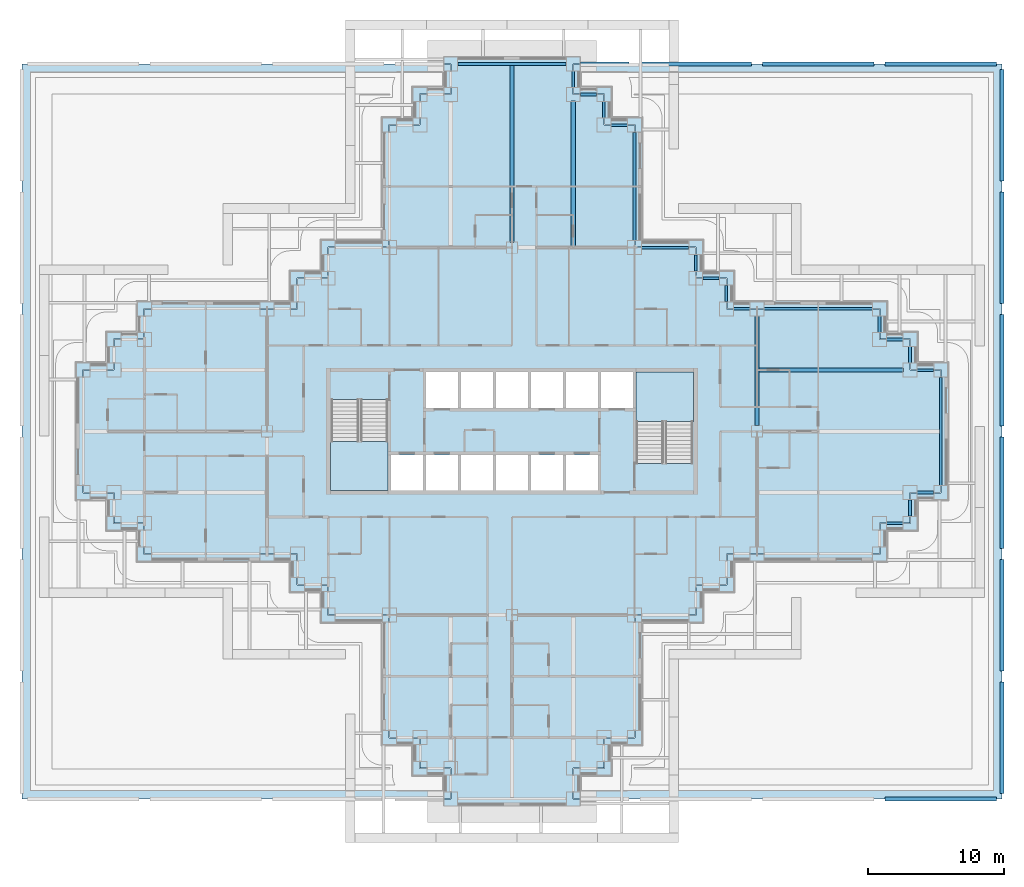
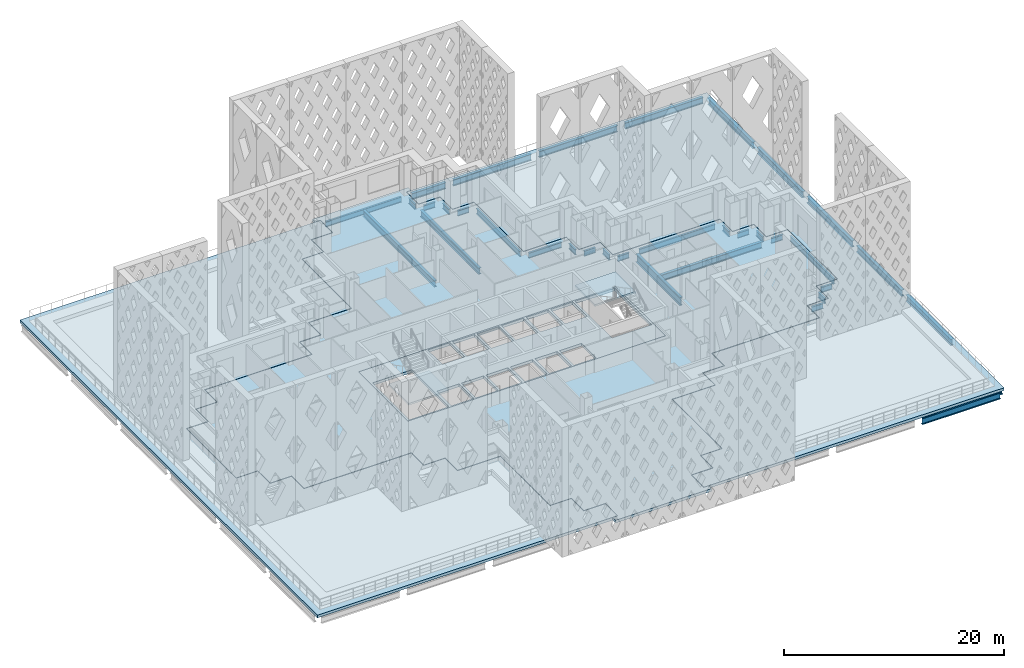
# One storey, part 2 of 26: 35 beams, 6 slabs, 2 elements without a shape of their own.
"""IFC4 building model written with IfcOpenShell, lengths in metres."""

from ifc_helpers import new_model, si_unit, direction, frame, origin, origin_2d, place, context, subcontext, project, spatial, polyline, i_section, outline, extrude, material, layer, layer_set, material_profile, profile_set, type_object, element, aggregate, save


model = new_model("IFC4")

# Units and contexts
model_context = context("Model", 3, precision=1e-05, world=origin(), true_north=direction((0.0, 1.0)))
body_context = subcontext(model_context, "Body", "Model", "MODEL_VIEW")
ifc_project = project(units=[si_unit("LENGTHUNIT", "METRE"), si_unit("AREAUNIT", "SQUARE_METRE"), si_unit("VOLUMEUNIT", "CUBIC_METRE"), si_unit("PLANEANGLEUNIT", "RADIAN"), si_unit("MASSUNIT", "GRAM", prefix="KILO")], contexts=[model_context])

# Site, building, storey
site_placement = place(None, origin())
site = spatial("IfcSite", under=ifc_project, at=site_placement, CompositionType="ELEMENT")
building_placement = place(site_placement, origin())
building = spatial("IfcBuilding", under=site, at=building_placement, Name="Caravel Reach Hotel and Residences", CompositionType="ELEMENT")
storey_placement = place(building_placement, frame((0.0, 0.0, 33.60009765625)))
storey = spatial("IfcBuildingStorey", under=building, at=storey_placement, Name="L06", CompositionType="ELEMENT", Elevation=33.60009765625)

# Beams
ifc_material_1 = material(Name="Structural steel Q355B", Category="steel")
ifc_material_profile_1 = material_profile(ifc_material_1, i_section(OverallWidth=0.300048828125, OverallDepth=0.699951171875, WebThickness=0.012939453125, FlangeThickness=0.02392578125, FilletRadius=0.01806640625, at=origin_2d()), Name="HN 700x300x13x24")
ifc_profile_set_1 = profile_set([ifc_material_profile_1], Name="Structural steel Q355B")
beam_type_1 = type_object("IfcBeamType", Name="Beam HN 700x300x13x24", PredefinedType="BEAM", material=ifc_profile_set_1)
beam_1_placement = place(storey_placement, frame((31.5, 40.875, -0.650146484375), z_axis=(0.0, 1.0, 0.0), x_axis=(-1.0, 0.0, 0.0)))
element("IfcBeam", 1, at=beam_1_placement, inside=storey, type_object=beam_type_1, Name="B2 HN 700x300x13x24", PredefinedType="BEAM", context=body_context, shape_type="SweptSolid", body=[
    extrude(i_section(OverallWidth=0.300048828125, OverallDepth=0.699951171875, WebThickness=0.012939453125, FlangeThickness=0.02392578125, FilletRadius=0.01806640625, at=origin_2d()), origin(), (0.0, 0.0, 1.0), 13.02490234375),
])
for number, where, z_axis, x_axis, name in (
    (2, (36.0, 40.60009765625, -0.650146484375), (0.0, 1.0, 0.0), (-1.0, 0.0, 0.0), "B2 HN 700x300x13x24"),
    (3, (49.60009765625, 31.5, -0.650146484375), (1.0, 0.0, 0.0), (0.0, 1.0, 0.0), "B2 HN 700x300x13x24"),
):
    element("IfcBeam", number, at=place(storey_placement, frame(where, z_axis=z_axis, x_axis=x_axis)), inside=storey, type_object=beam_type_1, Name=name, PredefinedType="BEAM", context=body_context, shape_type="SweptSolid", body=[
        extrude(i_section(OverallWidth=0.300048828125, OverallDepth=0.699951171875, WebThickness=0.012939453125, FlangeThickness=0.02392578125, FilletRadius=0.01806640625, at=origin_2d()), origin(), (0.0, 0.0, 1.0), 10.6748046875),
    ])
ifc_material_2 = material(Name="Structural steel Q355B", Category="steel")
ifc_material_profile_2 = material_profile(ifc_material_2, i_section(OverallWidth=0.300048828125, OverallDepth=0.89990234375, WebThickness=0.01611328125, FlangeThickness=0.028076171875, FilletRadius=0.01806640625, at=origin_2d()), Name="HN 900x300x16x28")
ifc_profile_set_2 = profile_set([ifc_material_profile_2], Name="Structural steel Q355B")
beam_type_2 = type_object("IfcBeamType", Name="Beam HN 900x300x16x28", PredefinedType="BEAM", material=ifc_profile_set_2)
beam_2_placement = place(storey_placement, frame((49.5, 27.425048828125, -0.75), z_axis=(0.0, 1.0, 0.0), x_axis=(-1.0, 0.0, 0.0)))
element("IfcBeam", 4, at=beam_2_placement, inside=storey, type_object=beam_type_2, Name="B3 HN 900x300x16x28", PredefinedType="BEAM", context=body_context, shape_type="SweptSolid", body=[
    extrude(i_section(OverallWidth=0.300048828125, OverallDepth=0.89990234375, WebThickness=0.01611328125, FlangeThickness=0.028076171875, FilletRadius=0.01806640625, at=origin_2d()), origin(), (0.0, 0.0, 1.0), 8.050048828125),
])
ifc_material_3 = material(Name="Structural steel Q355B", Category="steel")
ifc_material_profile_3 = material_profile(ifc_material_3, i_section(OverallWidth=0.300048828125, OverallDepth=0.699951171875, WebThickness=0.012939453125, FlangeThickness=0.02392578125, FilletRadius=0.01806640625, at=origin_2d()), Name="HN 700x300x13x24")
ifc_profile_set_3 = profile_set([ifc_material_profile_3], Name="Structural steel Q355B")
beam_type_3 = type_object("IfcBeamType", Name="Edge beam HN 700x300x13x24", PredefinedType="USERDEFINED", material=ifc_profile_set_3)
for number, where, z_axis, x_axis, name in (
    (5, (67.5, 53.60009765625, -0.650146484375), (0.0, -1.0, 0.0), (1.0, 0.0, 0.0), "EB2 HN 700x300x13x24"),
    (6, (67.5, 44.60009765625, -0.650146484375), (0.0, -1.0, 0.0), (1.0, 0.0, 0.0), "EB2 HN 700x300x13x24"),
    (7, (67.5, 35.60009765625, -0.650146484375), (0.0, -1.0, 0.0), (1.0, 0.0, 0.0), "EB2 HN 700x300x13x24"),
    (8, (67.5, 26.60009765625, -0.650146484375), (0.0, -1.0, 0.0), (1.0, 0.0, 0.0), "EB2 HN 700x300x13x24"),
    (9, (67.5, 17.60009765625, -0.650146484375), (0.0, -1.0, 0.0), (1.0, 0.0, 0.0), "EB2 HN 700x300x13x24"),
    (10, (67.5, 8.60009765625, -0.650146484375), (0.0, -1.0, 0.0), (1.0, 0.0, 0.0), "EB2 HN 700x300x13x24"),
    (11, (67.10009765625, 0.0, -0.650146484375), (-1.0, 0.0, 0.0), (0.0, -1.0, 0.0), "EB2 HN 700x300x13x24"),
):
    element("IfcBeam", number, at=place(storey_placement, frame(where, z_axis=z_axis, x_axis=x_axis)), inside=storey, type_object=beam_type_3, Name=name, ObjectType="Edge beam", PredefinedType="USERDEFINED", context=body_context, shape_type="SweptSolid", body=[
        extrude(i_section(OverallWidth=0.300048828125, OverallDepth=0.699951171875, WebThickness=0.012939453125, FlangeThickness=0.02392578125, FilletRadius=0.01806640625, at=origin_2d()), origin(), (0.0, 0.0, 1.0), 8.2001953125),
    ])
beam_3_placement = place(storey_placement, frame((36.550048828125, 54.0, -0.650146484375), z_axis=(1.0, 0.0, 0.0), x_axis=(0.0, 1.0, 0.0)))
element("IfcBeam", 12, at=beam_3_placement, inside=storey, type_object=beam_type_3, Name="EB2 HN 700x300x13x24", ObjectType="Edge beam", PredefinedType="USERDEFINED", context=body_context, shape_type="SweptSolid", body=[
    extrude(i_section(OverallWidth=0.300048828125, OverallDepth=0.699951171875, WebThickness=0.012939453125, FlangeThickness=0.02392578125, FilletRadius=0.01806640625, at=origin_2d()), origin(), (0.0, 0.0, 1.0), 3.550048828125),
])
for number, where, z_axis, x_axis, name in (
    (13, (40.89990234375, 54.0, -0.650146484375), (1.0, 0.0, 0.0), (0.0, 1.0, 0.0), "EB2 HN 700x300x13x24"),
    (14, (49.89990234375, 54.0, -0.650146484375), (1.0, 0.0, 0.0), (0.0, 1.0, 0.0), "EB2 HN 700x300x13x24"),
    (15, (58.89990234375, 54.0, -0.650146484375), (1.0, 0.0, 0.0), (0.0, 1.0, 0.0), "EB2 HN 700x300x13x24"),
):
    element("IfcBeam", number, at=place(storey_placement, frame(where, z_axis=z_axis, x_axis=x_axis)), inside=storey, type_object=beam_type_3, Name=name, ObjectType="Edge beam", PredefinedType="USERDEFINED", context=body_context, shape_type="SweptSolid", body=[
        extrude(i_section(OverallWidth=0.300048828125, OverallDepth=0.699951171875, WebThickness=0.012939453125, FlangeThickness=0.02392578125, FilletRadius=0.01806640625, at=origin_2d()), origin(), (0.0, 0.0, 1.0), 8.2001953125),
    ])
ifc_material_4 = material(Name="Structural steel Q355B", Category="steel")
ifc_material_profile_4 = material_profile(ifc_material_4, i_section(OverallWidth=0.199951171875, OverallDepth=0.60009765625, WebThickness=0.010986328125, FlangeThickness=0.01708984375, FilletRadius=0.012939453125, at=origin_2d()), Name="HN 600x200x11x17")
ifc_profile_set_4 = profile_set([ifc_material_profile_4], Name="Structural steel Q355B")
beam_type_4 = type_object("IfcBeamType", Name="Spandrel beam HN 600x200x11x17", PredefinedType="SPANDREL", material=ifc_profile_set_4)
for number, where, z_axis, x_axis, name in (
    (16, (59.02490234375, 20.25, -0.60009765625), (1.0, 0.0, 0.0), (0.0, 1.0, 0.0), "SP1 HN 600x200x11x17"),
    (17, (60.75, 20.77490234375, -0.60009765625), (0.0, 1.0, 0.0), (-1.0, 0.0, 0.0), "SP1 HN 600x200x11x17"),
    (18, (61.27490234375, 22.5, -0.60009765625), (1.0, 0.0, 0.0), (0.0, 1.0, 0.0), "SP1 HN 600x200x11x17"),
):
    element("IfcBeam", number, at=place(storey_placement, frame(where, z_axis=z_axis, x_axis=x_axis)), inside=storey, type_object=beam_type_4, Name=name, PredefinedType="SPANDREL", context=body_context, shape_type="SweptSolid", body=[
        extrude(i_section(OverallWidth=0.199951171875, OverallDepth=0.60009765625, WebThickness=0.010986328125, FlangeThickness=0.01708984375, FilletRadius=0.012939453125, at=origin_2d()), origin(), (0.0, 0.0, 1.0), 1.2001953125),
    ])
beam_4_placement = place(storey_placement, frame((63.0, 23.02490234375, -0.60009765625), z_axis=(0.0, 1.0, 0.0), x_axis=(-1.0, 0.0, 0.0)))
element("IfcBeam", 19, at=beam_4_placement, inside=storey, type_object=beam_type_4, Name="SP1 HN 600x200x11x17", PredefinedType="SPANDREL", context=body_context, shape_type="SweptSolid", body=[
    extrude(i_section(OverallWidth=0.199951171875, OverallDepth=0.60009765625, WebThickness=0.010986328125, FlangeThickness=0.01708984375, FilletRadius=0.012939453125, at=origin_2d()), origin(), (0.0, 0.0, 1.0), 7.9501953125),
])
for number, where, z_axis, x_axis, name in (
    (20, (62.47509765625, 31.5, -0.60009765625), (-1.0, 0.0, 0.0), (0.0, -1.0, 0.0), "SP1 HN 600x200x11x17"),
    (21, (60.75, 32.02490234375, -0.60009765625), (0.0, 1.0, 0.0), (-1.0, 0.0, 0.0), "SP1 HN 600x200x11x17"),
    (22, (60.22509765625, 33.75, -0.60009765625), (-1.0, 0.0, 0.0), (0.0, -1.0, 0.0), "SP1 HN 600x200x11x17"),
    (23, (58.5, 34.27490234375, -0.60009765625), (0.0, 1.0, 0.0), (-1.0, 0.0, 0.0), "SP1 HN 600x200x11x17"),
):
    element("IfcBeam", number, at=place(storey_placement, frame(where, z_axis=z_axis, x_axis=x_axis)), inside=storey, type_object=beam_type_4, Name=name, PredefinedType="SPANDREL", context=body_context, shape_type="SweptSolid", body=[
        extrude(i_section(OverallWidth=0.199951171875, OverallDepth=0.60009765625, WebThickness=0.010986328125, FlangeThickness=0.01708984375, FilletRadius=0.012939453125, at=origin_2d()), origin(), (0.0, 0.0, 1.0), 1.2001953125),
    ])
beam_5_placement = place(storey_placement, frame((57.97509765625, 36.0, -0.60009765625), z_axis=(-1.0, 0.0, 0.0), x_axis=(0.0, -1.0, 0.0)))
element("IfcBeam", 24, at=beam_5_placement, inside=storey, type_object=beam_type_4, Name="SP1 HN 600x200x11x17", PredefinedType="SPANDREL", context=body_context, shape_type="SweptSolid", body=[
    extrude(i_section(OverallWidth=0.199951171875, OverallDepth=0.60009765625, WebThickness=0.010986328125, FlangeThickness=0.01708984375, FilletRadius=0.012939453125, at=origin_2d()), origin(), (0.0, 0.0, 1.0), 7.9501953125),
])
for number, where, z_axis, x_axis, name in (
    (25, (48.97509765625, 36.0, -0.60009765625), (-1.0, 0.0, 0.0), (0.0, -1.0, 0.0), "SP1 HN 600x200x11x17"),
    (26, (47.25, 36.52490234375, -0.60009765625), (0.0, 1.0, 0.0), (-1.0, 0.0, 0.0), "SP1 HN 600x200x11x17"),
    (27, (46.72509765625, 38.25, -0.60009765625), (-1.0, 0.0, 0.0), (0.0, -1.0, 0.0), "SP1 HN 600x200x11x17"),
    (28, (45.0, 38.77490234375, -0.60009765625), (0.0, 1.0, 0.0), (-1.0, 0.0, 0.0), "SP1 HN 600x200x11x17"),
):
    element("IfcBeam", number, at=place(storey_placement, frame(where, z_axis=z_axis, x_axis=x_axis)), inside=storey, type_object=beam_type_4, Name=name, PredefinedType="SPANDREL", context=body_context, shape_type="SweptSolid", body=[
        extrude(i_section(OverallWidth=0.199951171875, OverallDepth=0.60009765625, WebThickness=0.010986328125, FlangeThickness=0.01708984375, FilletRadius=0.012939453125, at=origin_2d()), origin(), (0.0, 0.0, 1.0), 1.2001953125),
    ])
beam_6_placement = place(storey_placement, frame((44.47509765625, 40.5, -0.60009765625), z_axis=(-1.0, 0.0, 0.0), x_axis=(0.0, -1.0, 0.0)))
element("IfcBeam", 29, at=beam_6_placement, inside=storey, type_object=beam_type_4, Name="SP1 HN 600x200x11x17", PredefinedType="SPANDREL", context=body_context, shape_type="SweptSolid", body=[
    extrude(i_section(OverallWidth=0.199951171875, OverallDepth=0.60009765625, WebThickness=0.010986328125, FlangeThickness=0.01708984375, FilletRadius=0.012939453125, at=origin_2d()), origin(), (0.0, 0.0, 1.0), 3.4501953125),
])
beam_7_placement = place(storey_placement, frame((40.5, 41.02490234375, -0.60009765625), z_axis=(0.0, 1.0, 0.0), x_axis=(-1.0, 0.0, 0.0)))
element("IfcBeam", 30, at=beam_7_placement, inside=storey, type_object=beam_type_4, Name="SP1 HN 600x200x11x17", PredefinedType="SPANDREL", context=body_context, shape_type="SweptSolid", body=[
    extrude(i_section(OverallWidth=0.199951171875, OverallDepth=0.60009765625, WebThickness=0.010986328125, FlangeThickness=0.01708984375, FilletRadius=0.012939453125, at=origin_2d()), origin(), (0.0, 0.0, 1.0), 7.9501953125),
])
for number, where, z_axis, x_axis, name in (
    (31, (39.97509765625, 49.5, -0.60009765625), (-1.0, 0.0, 0.0), (0.0, -1.0, 0.0), "SP1 HN 600x200x11x17"),
    (32, (38.25, 50.02490234375, -0.60009765625), (0.0, 1.0, 0.0), (-1.0, 0.0, 0.0), "SP1 HN 600x200x11x17"),
    (33, (37.72509765625, 51.75, -0.60009765625), (-1.0, 0.0, 0.0), (0.0, -1.0, 0.0), "SP1 HN 600x200x11x17"),
    (34, (36.0, 52.27490234375, -0.60009765625), (0.0, 1.0, 0.0), (-1.0, 0.0, 0.0), "SP1 HN 600x200x11x17"),
):
    element("IfcBeam", number, at=place(storey_placement, frame(where, z_axis=z_axis, x_axis=x_axis)), inside=storey, type_object=beam_type_4, Name=name, PredefinedType="SPANDREL", context=body_context, shape_type="SweptSolid", body=[
        extrude(i_section(OverallWidth=0.199951171875, OverallDepth=0.60009765625, WebThickness=0.010986328125, FlangeThickness=0.01708984375, FilletRadius=0.012939453125, at=origin_2d()), origin(), (0.0, 0.0, 1.0), 1.2001953125),
    ])
beam_8_placement = place(storey_placement, frame((35.47509765625, 54.0, -0.60009765625), z_axis=(-1.0, 0.0, 0.0), x_axis=(0.0, -1.0, 0.0)))
element("IfcBeam", 35, at=beam_8_placement, inside=storey, type_object=beam_type_4, Name="SP1 HN 600x200x11x17", PredefinedType="SPANDREL", context=body_context, shape_type="SweptSolid", body=[
    extrude(i_section(OverallWidth=0.199951171875, OverallDepth=0.60009765625, WebThickness=0.010986328125, FlangeThickness=0.01708984375, FilletRadius=0.012939453125, at=origin_2d()), origin(), (0.0, 0.0, 1.0), 7.9501953125),
])

# Slab
ifc_material_5 = material(Name="Concrete C40", Category="concrete")
ifc_layer_1 = layer(ifc_material_5, 0.300048828125)
ifc_layer_set_1 = layer_set([ifc_layer_1], Name="Core floor slab 300 mm")
slab_type_1 = type_object("IfcSlabType", Name="Core floor slab 300 mm", PredefinedType="FLOOR", material=ifc_layer_set_1)
slab_1_placement = place(storey_placement, frame((0.0, 0.0, -0.300048828125)))
element("IfcSlab", 36, at=slab_1_placement, inside=storey, type_object=slab_type_1, Name="L06 core floor", PredefinedType="FLOOR", context=body_context, shape_type="SweptSolid", body=[
    extrude(outline(polyline([(18.0, 31.5), (45.0, 31.5), (45.0, 22.5), (18.0, 22.5), (18.0, 31.5)]), holes=[polyline([(22.625, 25.27490234375), (22.625, 22.64990234375), (24.9462890625, 22.64990234375), (24.9462890625, 25.27490234375), (22.625, 25.27490234375)]), polyline([(27.517822265625, 25.27490234375), (25.1962890625, 25.27490234375), (25.1962890625, 22.64990234375), (27.517822265625, 22.64990234375), (27.517822265625, 25.27490234375)]), polyline([(30.08935546875, 25.27490234375), (27.767822265625, 25.27490234375), (27.767822265625, 22.64990234375), (30.08935546875, 22.64990234375), (30.08935546875, 25.27490234375)]), polyline([(32.66064453125, 25.27490234375), (30.33935546875, 25.27490234375), (30.33935546875, 22.64990234375), (32.66064453125, 22.64990234375), (32.66064453125, 25.27490234375)]), polyline([(18.22509765625, 22.64990234375), (22.375, 22.64990234375), (22.375, 29.35009765625), (18.22509765625, 29.35009765625), (18.22509765625, 22.64990234375)]), polyline([(27.517822265625, 31.35009765625), (25.1962890625, 31.35009765625), (25.1962890625, 28.72509765625), (27.517822265625, 28.72509765625), (27.517822265625, 31.35009765625)]), polyline([(30.08935546875, 31.35009765625), (27.767822265625, 31.35009765625), (27.767822265625, 28.72509765625), (30.08935546875, 28.72509765625), (30.08935546875, 31.35009765625)]), polyline([(32.91064453125, 25.27490234375), (32.91064453125, 22.64990234375), (35.232177734375, 22.64990234375), (35.232177734375, 25.27490234375), (32.91064453125, 25.27490234375)]), polyline([(37.8037109375, 25.27490234375), (35.482177734375, 25.27490234375), (35.482177734375, 22.64990234375), (37.8037109375, 22.64990234375), (37.8037109375, 25.27490234375)]), polyline([(44.77490234375, 31.35009765625), (40.625, 31.35009765625), (40.625, 24.64990234375), (44.77490234375, 24.64990234375), (44.77490234375, 31.35009765625)]), polyline([(32.66064453125, 31.35009765625), (30.33935546875, 31.35009765625), (30.33935546875, 28.72509765625), (32.66064453125, 28.72509765625), (32.66064453125, 31.35009765625)]), polyline([(35.232177734375, 31.35009765625), (32.91064453125, 31.35009765625), (32.91064453125, 28.72509765625), (35.232177734375, 28.72509765625), (35.232177734375, 31.35009765625)]), polyline([(37.8037109375, 31.35009765625), (35.482177734375, 31.35009765625), (35.482177734375, 28.72509765625), (37.8037109375, 28.72509765625), (37.8037109375, 31.35009765625)]), polyline([(40.375, 31.35009765625), (38.0537109375, 31.35009765625), (38.0537109375, 28.72509765625), (40.375, 28.72509765625), (40.375, 31.35009765625)])]), origin(), (0.0, 0.0, 1.0), 0.300048828125),
])

# Stair, slab
ifc_material_6 = material(Name="Concrete C40", Category="concrete")
stair_type = type_object("IfcStairType", Name="Core stair", PredefinedType="HALF_TURN_STAIR", material=ifc_material_6)
stair_1_placement = place(storey_placement, origin())
stair_1 = element("IfcStair", 37, at=stair_1_placement, inside=storey, type_object=stair_type, Name="L06 Exit stair A", PredefinedType="HALF_TURN_STAIR")
ifc_material_7 = material(Name="Concrete C40", Category="concrete")
ifc_layer_2 = layer(ifc_material_7, 0.199951171875)
ifc_layer_set_2 = layer_set([ifc_layer_2], Name="Core stair landing")
slab_type_2 = type_object("IfcSlabType", Name="Core stair landing", PredefinedType="LANDING", material=ifc_layer_set_2)
slab_2_placement = place(storey_placement, frame((0.0, 0.0, 1.599853515625)))
slab_2 = element("IfcSlab", 38, at=slab_2_placement, type_object=slab_type_2, Name="ST-A landing 1", PredefinedType="LANDING", context=body_context, shape_type="SweptSolid", body=[
    extrude(outline(polyline([(18.14990234375, 26.27001953125), (18.14990234375, 22.64990234375), (22.375, 22.64990234375), (22.375, 26.27001953125), (18.14990234375, 26.27001953125)])), origin(), (0.0, 0.0, 1.0), 0.199951171875),
])
aggregate(stair_1, [slab_2])

stair_2_placement = place(storey_placement, origin())
stair_2 = element("IfcStair", 39, at=stair_2_placement, inside=storey, type_object=stair_type, Name="L06 Exit stair B", PredefinedType="HALF_TURN_STAIR")
slab_3_placement = place(storey_placement, frame((0.0, 0.0, 1.599853515625)))
slab_3 = element("IfcSlab", 40, at=slab_3_placement, type_object=slab_type_2, Name="ST-B landing 1", PredefinedType="LANDING", context=body_context, shape_type="SweptSolid", body=[
    extrude(outline(polyline([(44.85009765625, 27.72998046875), (44.85009765625, 31.35009765625), (40.625, 31.35009765625), (40.625, 27.72998046875), (44.85009765625, 27.72998046875)])), origin(), (0.0, 0.0, 1.0), 0.199951171875),
])
aggregate(stair_2, [slab_3])

# Slabs
ifc_material_8 = material(Name="Concrete C40 post-tensioned", Category="concrete")
ifc_layer_3 = layer(ifc_material_8, 0.300048828125)
ifc_layer_set_3 = layer_set([ifc_layer_3], Name="Floor slab 300")
slab_type_3 = type_object("IfcSlabType", Name="Floor slab 300", PredefinedType="FLOOR", material=ifc_layer_set_3)
slab_4_placement = place(storey_placement, frame((0.0, 0.0, -0.300048828125)))
element("IfcSlab", 41, at=slab_4_placement, inside=storey, type_object=slab_type_3, Name="S2 slab L06", PredefinedType="FLOOR", context=body_context, shape_type="SweptSolid", body=[
    extrude(outline(polyline([(22.5, 13.5), (18.0, 13.5), (18.0, 15.75), (15.75, 15.75), (15.75, 18.0), (4.5, 18.0), (4.5, 20.25), (2.25, 20.25), (2.25, 22.5), (0.0, 22.5), (0.0, 31.5), (2.25, 31.5), (2.25, 33.75), (4.5, 33.75), (4.5, 36.0), (15.75, 36.0), (15.75, 38.25), (18.0, 38.25), (18.0, 40.5), (22.5, 40.5), (22.5, 49.5), (24.75, 49.5), (24.75, 51.75), (27.0, 51.75), (27.0, 54.0), (26.47509765625, 54.0), (26.47509765625, 54.52490234375), (36.52490234375, 54.52490234375), (36.52490234375, 54.0), (36.0, 54.0), (36.0, 51.75), (38.25, 51.75), (38.25, 49.5), (40.5, 49.5), (40.5, 40.5), (45.0, 40.5), (45.0, 38.25), (47.25, 38.25), (47.25, 36.0), (58.5, 36.0), (58.5, 33.75), (60.75, 33.75), (60.75, 31.5), (63.0, 31.5), (63.0, 22.5), (60.75, 22.5), (60.75, 20.25), (58.5, 20.25), (58.5, 18.0), (47.25, 18.0), (47.25, 15.75), (45.0, 15.75), (45.0, 13.5), (40.5, 13.5), (40.5, 4.5), (38.25, 4.5), (38.25, 2.25), (36.0, 2.25), (36.0, 0.0), (36.52490234375, 0.0), (36.52490234375, -0.52490234375), (26.47509765625, -0.52490234375), (26.47509765625, 0.0), (27.0, 0.0), (27.0, 2.25), (24.75, 2.25), (24.75, 4.5), (22.5, 4.5), (22.5, 13.5)]), holes=[polyline([(45.0, 31.5), (18.0, 31.5), (18.0, 22.5), (45.0, 22.5), (45.0, 31.5)])]), origin(), (0.0, 0.0, 1.0), 0.300048828125),
])
ifc_material_9 = material(Name="Concrete C40", Category="concrete")
ifc_layer_4 = layer(ifc_material_9, 0.300048828125)
ifc_layer_set_4 = layer_set([ifc_layer_4], Name="Roof terrace slab 300")
slab_type_4 = type_object("IfcSlabType", Name="Roof terrace slab 300", PredefinedType="ROOF", material=ifc_layer_set_4)
slab_5_placement = place(storey_placement, frame((0.0, 0.0, -0.300048828125)))
element("IfcSlab", 42, at=slab_5_placement, inside=storey, type_object=slab_type_4, Name="Podium terrace east slab", PredefinedType="ROOF", context=body_context, shape_type="SweptSolid", body=[
    extrude(outline(polyline([(67.5, 0.0), (36.030029296875, 0.0), (36.030029296875, 2.219970703125), (38.280029296875, 2.219970703125), (38.280029296875, 4.469970703125), (40.530029296875, 4.469970703125), (40.530029296875, 13.469970703125), (45.030029296875, 13.469970703125), (45.030029296875, 15.719970703125), (47.280029296875, 15.719970703125), (47.280029296875, 17.969970703125), (58.530029296875, 17.969970703125), (58.530029296875, 20.219970703125), (60.780029296875, 20.219970703125), (60.780029296875, 22.469970703125), (63.030029296875, 22.469970703125), (63.030029296875, 31.530029296875), (60.780029296875, 31.530029296875), (60.780029296875, 33.780029296875), (58.530029296875, 33.780029296875), (58.530029296875, 36.030029296875), (47.280029296875, 36.030029296875), (47.280029296875, 38.280029296875), (45.030029296875, 38.280029296875), (45.030029296875, 40.530029296875), (40.530029296875, 40.530029296875), (40.530029296875, 49.530029296875), (38.280029296875, 49.530029296875), (38.280029296875, 51.780029296875), (36.030029296875, 51.780029296875), (36.030029296875, 54.0), (67.5, 54.0), (67.5, 0.0)])), origin(), (0.0, 0.0, 1.0), 0.300048828125),
])
slab_6_placement = place(storey_placement, frame((0.0, 0.0, -0.300048828125)))
element("IfcSlab", 43, at=slab_6_placement, inside=storey, type_object=slab_type_4, Name="Podium terrace west slab", PredefinedType="ROOF", context=body_context, shape_type="SweptSolid", body=[
    extrude(outline(polyline([(-4.5, 54.0), (26.969970703125, 54.0), (26.969970703125, 51.780029296875), (24.719970703125, 51.780029296875), (24.719970703125, 49.530029296875), (22.469970703125, 49.530029296875), (22.469970703125, 40.530029296875), (17.969970703125, 40.530029296875), (17.969970703125, 38.280029296875), (15.719970703125, 38.280029296875), (15.719970703125, 36.030029296875), (4.469970703125, 36.030029296875), (4.469970703125, 33.780029296875), (2.219970703125, 33.780029296875), (2.219970703125, 31.530029296875), (-0.030029296875, 31.530029296875), (-0.030029296875, 22.469970703125), (2.219970703125, 22.469970703125), (2.219970703125, 20.219970703125), (4.469970703125, 20.219970703125), (4.469970703125, 17.969970703125), (15.719970703125, 17.969970703125), (15.719970703125, 15.719970703125), (17.969970703125, 15.719970703125), (17.969970703125, 13.469970703125), (22.469970703125, 13.469970703125), (22.469970703125, 4.469970703125), (24.719970703125, 4.469970703125), (24.719970703125, 2.219970703125), (26.969970703125, 2.219970703125), (26.969970703125, 0.0), (-4.5, 0.0), (-4.5, 54.0)])), origin(), (0.0, 0.0, 1.0), 0.300048828125),
])

save(model, "model.ifc")
